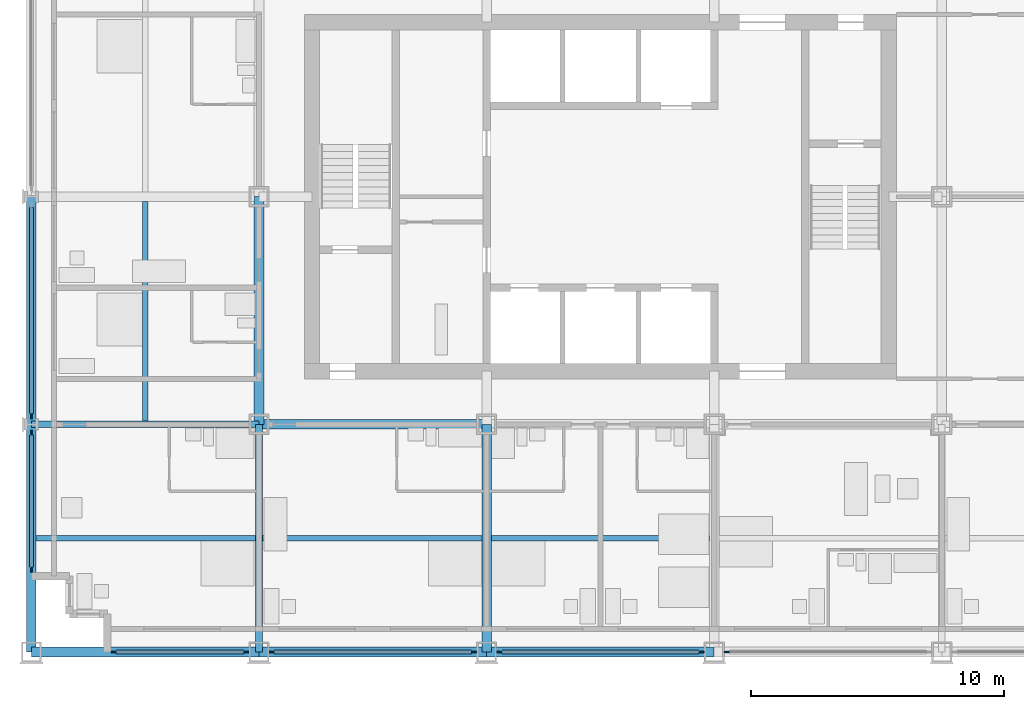
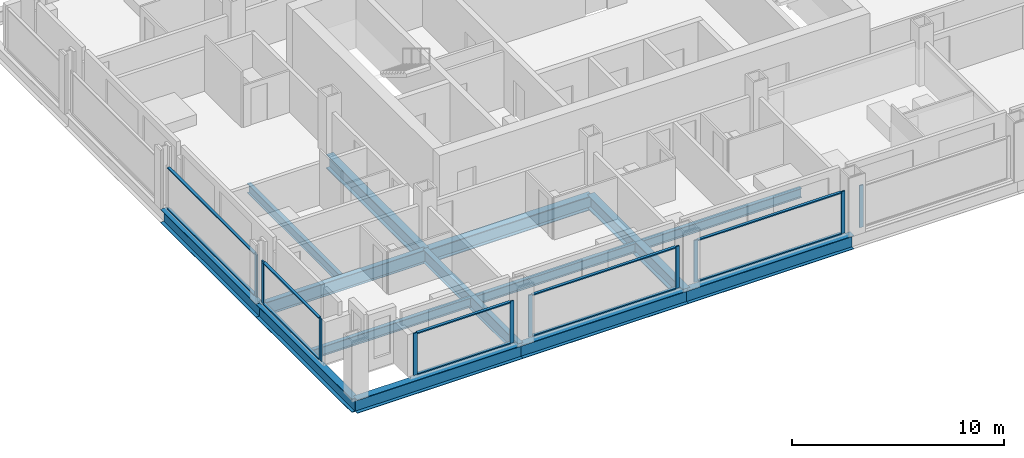
# One storey, part 2 of 18: 20 members, 14 beams, 6 elements without a shape of their own.
"""IFC4 building model written with IfcOpenShell, lengths in metres."""

from ifc_helpers import new_model, si_unit, direction, frame, origin, origin_2d, place, context, subcontext, project, spatial, rectangle, i_section, extrude, material, material_profile, profile_set, type_object, element, aggregate, save


model = new_model("IFC4")

# Units and contexts
model_context = context("Model", 3, precision=1e-05, world=origin(), true_north=direction((0.0, 1.0)))
body_context = subcontext(model_context, "Body", "Model", "MODEL_VIEW")
ifc_project = project(units=[si_unit("LENGTHUNIT", "METRE"), si_unit("AREAUNIT", "SQUARE_METRE"), si_unit("VOLUMEUNIT", "CUBIC_METRE"), si_unit("PLANEANGLEUNIT", "RADIAN"), si_unit("MASSUNIT", "GRAM", prefix="KILO")], contexts=[model_context])

# Site, building, storey
site_placement = place(None, origin())
site = spatial("IfcSite", under=ifc_project, at=site_placement, CompositionType="ELEMENT")
building_placement = place(site_placement, origin())
building = spatial("IfcBuilding", under=site, at=building_placement, Name="Loomwork Tower", CompositionType="ELEMENT")
storey_placement = place(building_placement, frame((0.0, 0.0, 65.39990234375)))
storey = spatial("IfcBuildingStorey", under=building, at=storey_placement, Name="L16", CompositionType="ELEMENT", Elevation=65.39990234375)

# Beams
ifc_material_1 = material(Name="Steel ASTM A992", Category="steel")
ifc_material_profile_1 = material_profile(ifc_material_1, i_section(OverallWidth=0.383544921875, OverallDepth=0.794921875, WebThickness=0.02099609375, FlangeThickness=0.0380859375, at=origin_2d()), Name="W30x235")
ifc_profile_set_1 = profile_set([ifc_material_profile_1], Name="Steel ASTM A992")
beam_type_1 = type_object("IfcBeamType", Name="CORE FLANK GIRDER W30x235", PredefinedType="BEAM", material=ifc_profile_set_1)
for number, where, z_axis, x_axis, name in (
    (1, (9.0, 9.0, -0.597412109375), (1.0, 0.0, 0.0), (0.0, 1.0, 0.0), "Core Flank Girder E/3-E/4 L16"),
    (2, (9.0, 9.0, -0.597412109375), (0.0, 1.0, 0.0), (-1.0, 0.0, 0.0), "Core Flank Girder E/3-F/3 L16"),
    (3, (18.0, 0.0, -0.597412109375), (0.0, 1.0, 0.0), (-1.0, 0.0, 0.0), "Core Flank Girder D/4-E/4 L16"),
):
    element("IfcBeam", number, at=place(storey_placement, frame(where, z_axis=z_axis, x_axis=x_axis)), inside=storey, type_object=beam_type_1, Name=name, PredefinedType="BEAM", context=body_context, shape_type="SweptSolid", body=[
        extrude(i_section(OverallWidth=0.383544921875, OverallDepth=0.794921875, WebThickness=0.02099609375, FlangeThickness=0.0380859375, at=origin_2d()), origin(), (0.0, 0.0, 1.0), 9.0),
    ])
ifc_material_2 = material(Name="Steel ASTM A992", Category="steel")
ifc_material_profile_2 = material_profile(ifc_material_2, i_section(OverallWidth=0.2666015625, OverallDepth=0.761962890625, WebThickness=0.014404296875, FlangeThickness=0.021484375, at=origin_2d()), Name="W30x116")
ifc_profile_set_2 = profile_set([ifc_material_profile_2], Name="Steel ASTM A992")
beam_type_2 = type_object("IfcBeamType", Name="FLOOR GIRDER W30x116", PredefinedType="BEAM", material=ifc_profile_set_2)
for number, where, z_axis, x_axis, name in (
    (4, (0.0, 9.0, -0.580810546875), (1.0, 0.0, 0.0), (0.0, 1.0, 0.0), "Floor Girder E/2-E/3 L16"),
    (5, (9.0, 0.0, -0.580810546875), (0.0, 1.0, 0.0), (-1.0, 0.0, 0.0), "Floor Girder D/3-E/3 L16"),
):
    element("IfcBeam", number, at=place(storey_placement, frame(where, z_axis=z_axis, x_axis=x_axis)), inside=storey, type_object=beam_type_2, Name=name, PredefinedType="BEAM", context=body_context, shape_type="SweptSolid", body=[
        extrude(i_section(OverallWidth=0.2666015625, OverallDepth=0.761962890625, WebThickness=0.014404296875, FlangeThickness=0.021484375, at=origin_2d()), origin(), (0.0, 0.0, 1.0), 9.0),
    ])
ifc_material_3 = material(Name="Steel ASTM A992", Category="steel")
ifc_material_profile_3 = material_profile(ifc_material_3, i_section(OverallWidth=0.2109375, OverallDepth=0.53857421875, WebThickness=0.011474609375, FlangeThickness=0.018798828125, at=origin_2d()), Name="W21x73")
ifc_profile_set_3 = profile_set([ifc_material_profile_3], Name="Steel ASTM A992")
beam_type_3 = type_object("IfcBeamType", Name="FLOOR JOIST W21x73", PredefinedType="JOIST", material=ifc_profile_set_3)
beam_1_placement = place(storey_placement, frame((0.18994140625, 4.5, -0.46923828125), z_axis=(1.0, 0.0, 0.0), x_axis=(0.0, 1.0, 0.0)))
element("IfcBeam", 6, at=beam_1_placement, inside=storey, type_object=beam_type_3, Name="Floor Joist 0.000,4.500-9.000,4.500 L16", PredefinedType="JOIST", context=body_context, shape_type="SweptSolid", body=[
    extrude(i_section(OverallWidth=0.2109375, OverallDepth=0.53857421875, WebThickness=0.011474609375, FlangeThickness=0.018798828125, at=origin_2d()), origin(), (0.0, 0.0, 1.0), 8.677001953125),
])
for number, where, z_axis, x_axis, name in (
    (7, (4.5, 9.133056640625, -0.46923828125), (0.0, 1.0, 0.0), (-1.0, 0.0, 0.0), "Floor Joist 4.500,9.000-4.500,18.000 L16"),
    (8, (9.133056640625, 4.5, -0.46923828125), (1.0, 0.0, 0.0), (0.0, 1.0, 0.0), "Floor Joist 9.000,4.500-18.000,4.500 L16"),
):
    element("IfcBeam", number, at=place(storey_placement, frame(where, z_axis=z_axis, x_axis=x_axis)), inside=storey, type_object=beam_type_3, Name=name, PredefinedType="JOIST", context=body_context, shape_type="SweptSolid", body=[
        extrude(i_section(OverallWidth=0.2109375, OverallDepth=0.53857421875, WebThickness=0.011474609375, FlangeThickness=0.018798828125, at=origin_2d()), origin(), (0.0, 0.0, 1.0), 8.676025390625),
    ])
beam_2_placement = place(storey_placement, frame((18.19091796875, 4.5, -0.46923828125), z_axis=(1.0, 0.0, 0.0), x_axis=(0.0, 1.0, 0.0)))
element("IfcBeam", 9, at=beam_2_placement, inside=storey, type_object=beam_type_3, Name="Floor Joist 18.000,4.500-27.000,4.500 L16", PredefinedType="JOIST", context=body_context, shape_type="SweptSolid", body=[
    extrude(i_section(OverallWidth=0.2109375, OverallDepth=0.53857421875, WebThickness=0.011474609375, FlangeThickness=0.018798828125, at=origin_2d()), origin(), (0.0, 0.0, 1.0), 8.6181640625),
])

# Curtain wall, members
ifc_material_4 = material(Name="Aluminium curtain wall frame", Category="aluminium")
curtain_wall_type = type_object("IfcCurtainWallType", Name="Outer skin glazing hotel", PredefinedType="NOTDEFINED", material=ifc_material_4)
curtain_wall_1_placement = place(storey_placement, origin())
curtain_wall_1 = element("IfcCurtainWall", 10, at=curtain_wall_1_placement, inside=storey, type_object=curtain_wall_type, Name="Outer skin glazing hotel cw/S-0", PredefinedType="NOTDEFINED")
ifc_material_5 = material(Name="Aluminium curtain wall frame", Category="aluminium")
ifc_material_profile_4 = material_profile(ifc_material_5, rectangle(XDim=0.06494140625, YDim=0.199951171875, at=origin_2d()), Name="AL 65x200")
ifc_profile_set_4 = profile_set([ifc_material_profile_4], Name="Aluminium curtain wall frame")
member_type_1 = type_object("IfcMemberType", Name="Outer skin glazing hotel mullion", PredefinedType="MULLION", material=ifc_profile_set_4)
member_1_placement = place(storey_placement, frame((3.25, 0.0, 0.0), z_axis=(0.0, 0.0, 1.0), x_axis=(0.0, 1.0, 0.0)))
member_1 = element("IfcMember", 11, at=member_1_placement, type_object=member_type_1, Name="CW1 mullion 1", PredefinedType="MULLION", context=body_context, shape_type="SweptSolid", body=[
    extrude(rectangle(XDim=0.06494140625, YDim=0.199951171875, at=origin_2d()), origin(), (0.0, 0.0, 1.0), 2.42041015625),
])
member_2_placement = place(storey_placement, frame((8.5, 0.0, 0.0), z_axis=(0.0, 0.0, 1.0), x_axis=(0.0, 1.0, 0.0)))
member_2 = element("IfcMember", 12, at=member_2_placement, type_object=member_type_1, Name="CW1 mullion 2", PredefinedType="MULLION", context=body_context, shape_type="SweptSolid", body=[
    extrude(rectangle(XDim=0.06494140625, YDim=0.199951171875, at=origin_2d()), origin(), (0.0, 0.0, 1.0), 2.42041015625),
])

curtain_wall_2_placement = place(storey_placement, origin())
curtain_wall_2 = element("IfcCurtainWall", 13, at=curtain_wall_2_placement, inside=storey, type_object=curtain_wall_type, Name="Outer skin glazing hotel cw/S-9", PredefinedType="NOTDEFINED")
member_3_placement = place(storey_placement, frame((9.5, 0.0, 0.0), z_axis=(0.0, 0.0, 1.0), x_axis=(0.0, 1.0, 0.0)))
member_3 = element("IfcMember", 14, at=member_3_placement, type_object=member_type_1, Name="CW1 mullion 1", PredefinedType="MULLION", context=body_context, shape_type="SweptSolid", body=[
    extrude(rectangle(XDim=0.06494140625, YDim=0.199951171875, at=origin_2d()), origin(), (0.0, 0.0, 1.0), 2.42041015625),
])
member_4_placement = place(storey_placement, frame((17.5, 0.0, 0.0), z_axis=(0.0, 0.0, 1.0), x_axis=(0.0, 1.0, 0.0)))
member_4 = element("IfcMember", 15, at=member_4_placement, type_object=member_type_1, Name="CW1 mullion 2", PredefinedType="MULLION", context=body_context, shape_type="SweptSolid", body=[
    extrude(rectangle(XDim=0.06494140625, YDim=0.199951171875, at=origin_2d()), origin(), (0.0, 0.0, 1.0), 2.42041015625),
])

curtain_wall_3_placement = place(storey_placement, origin())
curtain_wall_3 = element("IfcCurtainWall", 16, at=curtain_wall_3_placement, inside=storey, type_object=curtain_wall_type, Name="Outer skin glazing hotel cw/S-18", PredefinedType="NOTDEFINED")
member_5_placement = place(storey_placement, frame((18.5, 0.0, 0.0), z_axis=(0.0, 0.0, 1.0), x_axis=(0.0, 1.0, 0.0)))
member_5 = element("IfcMember", 17, at=member_5_placement, type_object=member_type_1, Name="CW1 mullion 1", PredefinedType="MULLION", context=body_context, shape_type="SweptSolid", body=[
    extrude(rectangle(XDim=0.06494140625, YDim=0.199951171875, at=origin_2d()), origin(), (0.0, 0.0, 1.0), 2.42041015625),
])
member_6_placement = place(storey_placement, frame((26.5, 0.0, 0.0), z_axis=(0.0, 0.0, 1.0), x_axis=(0.0, 1.0, 0.0)))
member_6 = element("IfcMember", 18, at=member_6_placement, type_object=member_type_1, Name="CW1 mullion 2", PredefinedType="MULLION", context=body_context, shape_type="SweptSolid", body=[
    extrude(rectangle(XDim=0.06494140625, YDim=0.199951171875, at=origin_2d()), origin(), (0.0, 0.0, 1.0), 2.42041015625),
])

# Curtain wall, member
curtain_wall_4_placement = place(storey_placement, origin())
curtain_wall_4 = element("IfcCurtainWall", 19, at=curtain_wall_4_placement, inside=storey, type_object=curtain_wall_type, Name="Outer skin glazing hotel cw/S-27", PredefinedType="NOTDEFINED")
member_7_placement = place(storey_placement, frame((27.5, 0.0, 0.0), z_axis=(0.0, 0.0, 1.0), x_axis=(0.0, 1.0, 0.0)))
member_7 = element("IfcMember", 20, at=member_7_placement, type_object=member_type_1, Name="CW1 mullion 1", PredefinedType="MULLION", context=body_context, shape_type="SweptSolid", body=[
    extrude(rectangle(XDim=0.06494140625, YDim=0.199951171875, at=origin_2d()), origin(), (0.0, 0.0, 1.0), 2.42041015625),
])
aggregate(curtain_wall_4, [member_7])

# Curtain wall, members
curtain_wall_5_placement = place(storey_placement, origin())
curtain_wall_5 = element("IfcCurtainWall", 21, at=curtain_wall_5_placement, inside=storey, type_object=curtain_wall_type, Name="Outer skin glazing hotel cw/W-0", PredefinedType="NOTDEFINED")
member_8_placement = place(storey_placement, frame((0.0, 8.672607421875, 0.0), z_axis=(0.0, 0.0, 1.0), x_axis=(1.0, 0.0, 0.0)))
member_8 = element("IfcMember", 22, at=member_8_placement, type_object=member_type_1, Name="CW1 mullion 1", PredefinedType="MULLION", context=body_context, shape_type="SweptSolid", body=[
    extrude(rectangle(XDim=0.06494140625, YDim=0.199951171875, at=origin_2d()), origin(), (0.0, 0.0, 1.0), 2.42041015625),
])
member_9_placement = place(storey_placement, frame((0.0, 3.25, 0.0), z_axis=(0.0, 0.0, 1.0), x_axis=(1.0, 0.0, 0.0)))
member_9 = element("IfcMember", 23, at=member_9_placement, type_object=member_type_1, Name="CW1 mullion 2", PredefinedType="MULLION", context=body_context, shape_type="SweptSolid", body=[
    extrude(rectangle(XDim=0.06494140625, YDim=0.199951171875, at=origin_2d()), origin(), (0.0, 0.0, 1.0), 2.42041015625),
])

# Curtain wall, member
curtain_wall_6_placement = place(storey_placement, origin())
curtain_wall_6 = element("IfcCurtainWall", 24, at=curtain_wall_6_placement, inside=storey, type_object=curtain_wall_type, Name="Outer skin glazing hotel cw/W-9", PredefinedType="NOTDEFINED")
member_10_placement = place(storey_placement, frame((0.0, 9.327392578125, 0.0), z_axis=(0.0, 0.0, 1.0), x_axis=(1.0, 0.0, 0.0)))
member_10 = element("IfcMember", 25, at=member_10_placement, type_object=member_type_1, Name="CW1 mullion 2", PredefinedType="MULLION", context=body_context, shape_type="SweptSolid", body=[
    extrude(rectangle(XDim=0.06494140625, YDim=0.199951171875, at=origin_2d()), origin(), (0.0, 0.0, 1.0), 2.42041015625),
])

# Member
ifc_material_6 = material(Name="Aluminium curtain wall frame", Category="aluminium")
ifc_material_profile_5 = material_profile(ifc_material_6, rectangle(XDim=0.14990234375, YDim=0.06494140625, at=origin_2d()), Name="AL 65x150")
ifc_profile_set_5 = profile_set([ifc_material_profile_5], Name="Aluminium curtain wall frame")
member_type_2 = type_object("IfcMemberType", Name="Outer skin glazing hotel transom", PredefinedType="USERDEFINED", material=ifc_profile_set_5)
member_11_placement = place(storey_placement, frame((3.35009765625, 0.0, 0.03271484375), z_axis=(1.0, 0.0, 0.0), x_axis=(0.0, 1.0, 0.0)))
member_11 = element("IfcMember", 26, at=member_11_placement, type_object=member_type_2, Name="CW1 transom 1.1", ObjectType="TRANSOM", PredefinedType="USERDEFINED", context=body_context, shape_type="SweptSolid", body=[
    extrude(rectangle(XDim=0.14990234375, YDim=0.06494140625, at=origin_2d()), origin(), (0.0, 0.0, 1.0), 5.0498046875),
])

member_12_placement = place(storey_placement, frame((3.35009765625, 0.0, 2.3876953125), z_axis=(1.0, 0.0, 0.0), x_axis=(0.0, 1.0, 0.0)))
member_12 = element("IfcMember", 27, at=member_12_placement, type_object=member_type_2, Name="CW1 transom 1.2", ObjectType="TRANSOM", PredefinedType="USERDEFINED", context=body_context, shape_type="SweptSolid", body=[
    extrude(rectangle(XDim=0.14990234375, YDim=0.06494140625, at=origin_2d()), origin(), (0.0, 0.0, 1.0), 5.0498046875),
])

aggregate(curtain_wall_1, [member_1, member_2, member_11, member_12])

member_13_placement = place(storey_placement, frame((9.60009765625, 0.0, 0.03271484375), z_axis=(1.0, 0.0, 0.0), x_axis=(0.0, 1.0, 0.0)))
member_13 = element("IfcMember", 28, at=member_13_placement, type_object=member_type_2, Name="CW1 transom 1.1", ObjectType="TRANSOM", PredefinedType="USERDEFINED", context=body_context, shape_type="SweptSolid", body=[
    extrude(rectangle(XDim=0.14990234375, YDim=0.06494140625, at=origin_2d()), origin(), (0.0, 0.0, 1.0), 7.7998046875),
])

member_14_placement = place(storey_placement, frame((9.60009765625, 0.0, 2.3876953125), z_axis=(1.0, 0.0, 0.0), x_axis=(0.0, 1.0, 0.0)))
member_14 = element("IfcMember", 29, at=member_14_placement, type_object=member_type_2, Name="CW1 transom 1.2", ObjectType="TRANSOM", PredefinedType="USERDEFINED", context=body_context, shape_type="SweptSolid", body=[
    extrude(rectangle(XDim=0.14990234375, YDim=0.06494140625, at=origin_2d()), origin(), (0.0, 0.0, 1.0), 7.7998046875),
])

aggregate(curtain_wall_2, [member_3, member_4, member_13, member_14])

member_15_placement = place(storey_placement, frame((18.60009765625, 0.0, 0.03271484375), z_axis=(1.0, 0.0, 0.0), x_axis=(0.0, 1.0, 0.0)))
member_15 = element("IfcMember", 30, at=member_15_placement, type_object=member_type_2, Name="CW1 transom 1.1", ObjectType="TRANSOM", PredefinedType="USERDEFINED", context=body_context, shape_type="SweptSolid", body=[
    extrude(rectangle(XDim=0.14990234375, YDim=0.06494140625, at=origin_2d()), origin(), (0.0, 0.0, 1.0), 7.7998046875),
])

member_16_placement = place(storey_placement, frame((18.60009765625, 0.0, 2.3876953125), z_axis=(1.0, 0.0, 0.0), x_axis=(0.0, 1.0, 0.0)))
member_16 = element("IfcMember", 31, at=member_16_placement, type_object=member_type_2, Name="CW1 transom 1.2", ObjectType="TRANSOM", PredefinedType="USERDEFINED", context=body_context, shape_type="SweptSolid", body=[
    extrude(rectangle(XDim=0.14990234375, YDim=0.06494140625, at=origin_2d()), origin(), (0.0, 0.0, 1.0), 7.7998046875),
])

aggregate(curtain_wall_3, [member_5, member_6, member_15, member_16])

member_17_placement = place(storey_placement, frame((0.0, 8.57275390625, 0.03271484375), z_axis=(0.0, -1.0, 0.0), x_axis=(1.0, 0.0, 0.0)))
member_17 = element("IfcMember", 32, at=member_17_placement, type_object=member_type_2, Name="CW1 transom 1.1", ObjectType="TRANSOM", PredefinedType="USERDEFINED", context=body_context, shape_type="SweptSolid", body=[
    extrude(rectangle(XDim=0.14990234375, YDim=0.06494140625, at=origin_2d()), origin(), (0.0, 0.0, 1.0), 5.22265625),
])

member_18_placement = place(storey_placement, frame((0.0, 8.57275390625, 2.3876953125), z_axis=(0.0, -1.0, 0.0), x_axis=(1.0, 0.0, 0.0)))
member_18 = element("IfcMember", 33, at=member_18_placement, type_object=member_type_2, Name="CW1 transom 1.2", ObjectType="TRANSOM", PredefinedType="USERDEFINED", context=body_context, shape_type="SweptSolid", body=[
    extrude(rectangle(XDim=0.14990234375, YDim=0.06494140625, at=origin_2d()), origin(), (0.0, 0.0, 1.0), 5.22265625),
])

aggregate(curtain_wall_5, [member_8, member_9, member_17, member_18])

member_19_placement = place(storey_placement, frame((0.0, 17.57275390625, 0.03271484375), z_axis=(0.0, -1.0, 0.0), x_axis=(1.0, 0.0, 0.0)))
member_19 = element("IfcMember", 34, at=member_19_placement, type_object=member_type_2, Name="CW1 transom 1.1", ObjectType="TRANSOM", PredefinedType="USERDEFINED", context=body_context, shape_type="SweptSolid", body=[
    extrude(rectangle(XDim=0.14990234375, YDim=0.06494140625, at=origin_2d()), origin(), (0.0, 0.0, 1.0), 8.1455078125),
])

member_20_placement = place(storey_placement, frame((0.0, 17.57275390625, 2.3876953125), z_axis=(0.0, -1.0, 0.0), x_axis=(1.0, 0.0, 0.0)))
member_20 = element("IfcMember", 35, at=member_20_placement, type_object=member_type_2, Name="CW1 transom 1.2", ObjectType="TRANSOM", PredefinedType="USERDEFINED", context=body_context, shape_type="SweptSolid", body=[
    extrude(rectangle(XDim=0.14990234375, YDim=0.06494140625, at=origin_2d()), origin(), (0.0, 0.0, 1.0), 8.1455078125),
])

aggregate(curtain_wall_6, [member_10, member_19, member_20])

# Beams
ifc_material_7 = material(Name="Steel ASTM A992", Category="steel")
ifc_material_profile_6 = material_profile(ifc_material_7, i_section(OverallWidth=0.381103515625, OverallDepth=0.77978515625, WebThickness=0.01806640625, FlangeThickness=0.0302734375, at=origin_2d()), Name="W30x191")
ifc_profile_set_6 = profile_set([ifc_material_profile_6], Name="Steel ASTM A992")
beam_type_4 = type_object("IfcBeamType", Name="SPANDREL GIRDER W30x191", PredefinedType="SPANDREL", material=ifc_profile_set_6)
for number, where, z_axis, x_axis, name in (
    (36, (0.0, 0.0, -0.58984375), (1.0, 0.0, 0.0), (0.0, 1.0, 0.0), "Spandrel Girder D/2-D/3 L16"),
    (37, (9.0, 0.0, -0.58984375), (1.0, 0.0, 0.0), (0.0, 1.0, 0.0), "Spandrel Girder D/3-D/4 L16"),
    (38, (18.0, 0.0, -0.58984375), (1.0, 0.0, 0.0), (0.0, 1.0, 0.0), "Spandrel Girder D/4-D/5 L16"),
    (39, (0.0, 0.0, -0.58984375), (0.0, 1.0, 0.0), (-1.0, 0.0, 0.0), "Spandrel Girder D/2-E/2 L16"),
    (40, (0.0, 9.0, -0.58984375), (0.0, 1.0, 0.0), (-1.0, 0.0, 0.0), "Spandrel Girder E/2-F/2 L16"),
):
    element("IfcBeam", number, at=place(storey_placement, frame(where, z_axis=z_axis, x_axis=x_axis)), inside=storey, type_object=beam_type_4, Name=name, PredefinedType="SPANDREL", context=body_context, shape_type="SweptSolid", body=[
        extrude(i_section(OverallWidth=0.381103515625, OverallDepth=0.77978515625, WebThickness=0.01806640625, FlangeThickness=0.0302734375, at=origin_2d()), origin(), (0.0, 0.0, 1.0), 9.0),
    ])

save(model, "model.ifc")
